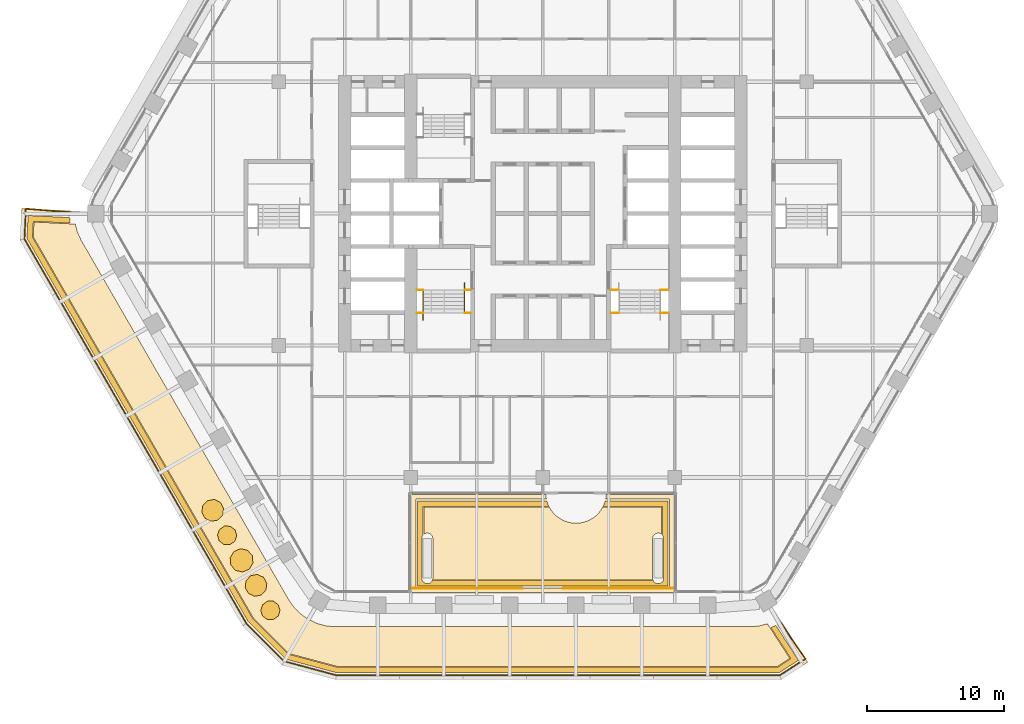
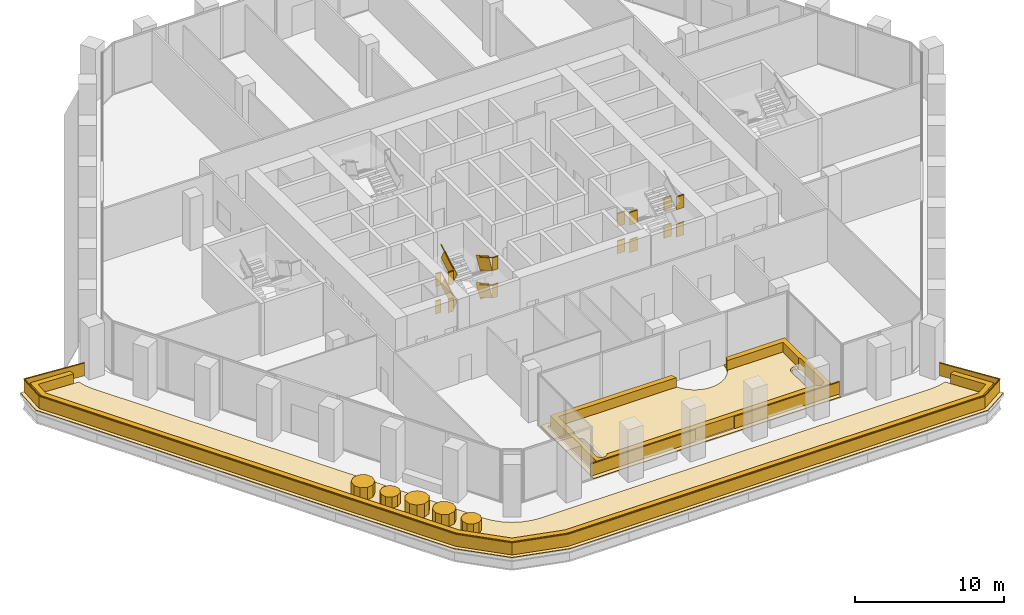
# One storey, part 25 of 27: 11 coverings, 5 railings.
"""IFC4 building model written with IfcOpenShell, lengths in metres."""

import ifcopenshell
import ifcopenshell.guid

model = None  # the IFC model being written
_history = None  # IfcOwnerHistory: only IFC2X3 demands one
_inside = {}  # id of a spatial element -> (the spatial element, [elements in it])
_under = {}  # id of a project, library or spatial element -> (it, [spatial elements below it])
_declared = {}  # id of a project -> (the project, [libraries it declares])
_typed = {}  # id of a type object -> (the type object, [elements of that type])
_made_of = {}  # id of a material, layer set ... -> (it, [elements and type objects made of it])


def new_model(schema):
    """Start an empty IFC model of exactly this schema.

    Asked for "IFC4X3", IfcOpenShell would pick the latest addendum, in which some entities
    have other attributes; the version numbers below select the first issue.
    IFC2X3 requires an IfcOwnerHistory on every rooted entity: one is made here for all.
    """
    global model, _history
    if schema == "IFC4X3":
        model = ifcopenshell.file(schema_version=(4, 3, 0, 0))
    else:
        model = ifcopenshell.file(schema=schema)
    _inside.clear()
    _under.clear()
    _declared.clear()
    _typed.clear()
    _made_of.clear()
    _history = None
    if model.schema == "IFC2X3":
        org = make("IfcOrganization", Name="unknown")
        user = make(
            "IfcPersonAndOrganization",
            ThePerson=make("IfcPerson", FamilyName="unknown"),
            TheOrganization=org,
        )
        app = make(
            "IfcApplication",
            ApplicationDeveloper=org,
            Version="unknown",
            ApplicationFullName="unknown",
            ApplicationIdentifier="unknown",
        )
        _history = make(
            "IfcOwnerHistory",
            OwningUser=user,
            OwningApplication=app,
            ChangeAction="ADDED",
            CreationDate=0,
        )
    return model


def make(cls, **values):
    """One entity of the class cls with the attributes given. An attribute that is None is left unset."""
    return model.create_entity(
        cls, **{name: value for name, value in values.items() if value is not None}
    )


def rooted(cls, **values):
    """An entity with a GlobalId (a new one), such as an element, a storey or a relation."""
    return make(cls, GlobalId=ifcopenshell.guid.new(), OwnerHistory=_history, **values)


def si_unit(unit_type, name, prefix=None):
    """IfcSIUnit, for example si_unit("LENGTHUNIT", "METRE", prefix="MILLI")."""
    return make("IfcSIUnit", UnitType=unit_type, Prefix=prefix, Name=name)


def assignment(units):
    """IfcUnitAssignment: the units of a project."""
    return None if units is None else make("IfcUnitAssignment", Units=units)


def point(xyz):
    """IfcCartesianPoint."""
    return None if xyz is None else make("IfcCartesianPoint", Coordinates=xyz)


def direction(xyz):
    """IfcDirection."""
    return None if xyz is None else make("IfcDirection", DirectionRatios=xyz)


def frame(location, z_axis=None, x_axis=None):
    """IfcAxis2Placement3D, a coordinate frame: its origin and axes. An axis left out is left unset."""
    return make(
        "IfcAxis2Placement3D",
        Location=point(location),
        Axis=direction(z_axis),
        RefDirection=direction(x_axis),
    )


def frame_2d(location, x_axis=None):
    """IfcAxis2Placement2D, a coordinate frame in the plane: its origin and x axis."""
    return make(
        "IfcAxis2Placement2D", Location=point(location), RefDirection=direction(x_axis)
    )


def origin():
    """The frame at (0, 0, 0) with its axes left unset."""
    return frame((0.0, 0.0, 0.0))


def origin_2d():
    """The frame at (0, 0) in the plane with its x axis left unset."""
    return frame_2d((0.0, 0.0))


def place(relative_to, where):
    """IfcLocalPlacement: puts the frame where relative to a parent placement (None: the world)."""
    return make(
        "IfcLocalPlacement", PlacementRelTo=relative_to, RelativePlacement=where
    )


def context(
    kind, dimensions, precision=None, world=None, true_north=None, identifier=None
):
    """IfcGeometricRepresentationContext, for example the 3D "Model" context."""
    return make(
        "IfcGeometricRepresentationContext",
        ContextIdentifier=identifier,
        ContextType=kind,
        CoordinateSpaceDimension=dimensions,
        Precision=precision,
        WorldCoordinateSystem=world,
        TrueNorth=true_north,
    )


def subcontext(parent, identifier, kind, view, scale=None):
    """IfcGeometricRepresentationSubContext, for example "Body" below "Model"."""
    return make(
        "IfcGeometricRepresentationSubContext",
        ContextIdentifier=identifier,
        ContextType=kind,
        ParentContext=parent,
        TargetScale=scale,
        TargetView=view,
    )


def project(units=None, contexts=None):
    """IfcProject with its units and contexts."""
    return rooted(
        "IfcProject",
        Name="project",
        RepresentationContexts=contexts,
        UnitsInContext=assignment(units),
    )


def spatial(cls, under=None, at=None, **own):
    """A site, building, storey or space (cls), placed at a placement, below another one or the project."""
    s = rooted(cls, ObjectPlacement=at, **own)
    if under is not None:
        _under.setdefault(under.id(), (under, []))[1].append(s)
    return s


def polyline(points):
    """IfcPolyline through the points."""
    return make("IfcPolyline", Points=[point(p) for p in points])


def profile(cls, at=None, kind="AREA", **sizes):
    """A parametric profile (cls). Its sizes go by their IFC names, for example OverallWidth=200.0."""
    return make(cls, ProfileType=kind, Position=at, **sizes)


def rectangle(**sizes):
    """IfcRectangleProfileDef."""
    return profile("IfcRectangleProfileDef", **sizes)


def outline(outer, holes=None, kind="AREA"):
    """IfcArbitraryClosedProfileDef: a profile drawn as a closed curve; with holes, ...WithVoids."""
    if holes is None:
        return make("IfcArbitraryClosedProfileDef", ProfileType=kind, OuterCurve=outer)
    return make(
        "IfcArbitraryProfileDefWithVoids",
        ProfileType=kind,
        OuterCurve=outer,
        InnerCurves=holes,
    )


def extrude(swept, where, along, depth):
    """IfcExtrudedAreaSolid: the profile swept, set in the frame where, extruded along a direction by depth."""
    return make(
        "IfcExtrudedAreaSolid",
        SweptArea=swept,
        Position=where,
        ExtrudedDirection=direction(along),
        Depth=depth,
    )


def shape(context_of_items, identifier, shape_type, items):
    """IfcShapeRepresentation: the items that make up one representation, for example the "Body"."""
    return make(
        "IfcShapeRepresentation",
        ContextOfItems=context_of_items,
        RepresentationIdentifier=identifier,
        RepresentationType=shape_type,
        Items=items,
    )


def material(Name=None, Category=None):
    """IfcMaterial."""
    return make("IfcMaterial", Name=Name, Category=Category)


def layer(
    of_material, thickness, ventilated=None, Name=None, Category=None, Priority=None
):
    """IfcMaterialLayer: one layer of a wall or slab, of a material (None: an air gap)."""
    return make(
        "IfcMaterialLayer",
        Material=of_material,
        LayerThickness=thickness,
        IsVentilated=ventilated,
        Name=Name,
        Category=Category,
        Priority=Priority,
    )


def layer_set(layers, Name=None):
    """IfcMaterialLayerSet."""
    return make("IfcMaterialLayerSet", MaterialLayers=layers, LayerSetName=Name)


def made_of(thing, what):
    """Note that an element or type object is made of a material, layer set ...; save() writes the relation."""
    if what is not None:
        _made_of.setdefault(what.id(), (what, []))[1].append(thing)
    return thing


def type_object(cls, material=None, **own):
    """A type object (cls), such as IfcWallType, which elements share."""
    return made_of(rooted(cls, **own), material)


def element(
    cls,
    number,
    at=None,
    inside=None,
    cuts=None,
    type_object=None,
    material=None,
    context=None,
    identifier="Body",
    shape_type=None,
    held_by="IfcProductDefinitionShape",
    body=None,
    shapes=None,
    **own,
):
    """One element of the class cls, such as IfcWall. Its Tag is "e" and its number.

    at: its placement. inside: the storey or other place that contains it. cuts: it is an
    opening in that element (IfcRelVoidsElement). A single representation is given by context,
    identifier, shape_type and body (its items); several are given by shapes. held_by: the class
    of the entity that holds the representations. save() writes the other relations.
    """
    e = rooted(cls, Tag="e%d" % number, ObjectPlacement=at, **own)
    if body is not None:
        shapes = [shape(context, identifier, shape_type, body)]
    if shapes is not None:
        e.Representation = make(held_by, Representations=shapes)
    if inside is not None:
        _inside.setdefault(inside.id(), (inside, []))[1].append(e)
    if cuts is not None:
        rooted(
            "IfcRelVoidsElement", RelatingBuildingElement=cuts, RelatedOpeningElement=e
        )
    if type_object is not None:
        _typed.setdefault(type_object.id(), (type_object, []))[1].append(e)
    return made_of(e, material)


def aggregate(whole, parts):
    """IfcRelAggregates: a whole, such as a stair, and the parts it consists of."""
    return rooted("IfcRelAggregates", RelatingObject=whole, RelatedObjects=parts)


def save(model, path):
    """Write the relations noted so far, then the file.

    IfcRelAggregates (storeys below a building ...), IfcRelContainedInSpatialStructure (elements
    in a storey), IfcRelDefinesByType, IfcRelAssociatesMaterial and IfcRelDeclares: one each for
    every whole, place, type object, material and project.
    """
    for whole, parts in _under.values():
        aggregate(whole, parts)
    for where, things in _inside.values():
        rooted(
            "IfcRelContainedInSpatialStructure",
            RelatedElements=things,
            RelatingStructure=where,
        )
    for kind, things in _typed.values():
        rooted("IfcRelDefinesByType", RelatedObjects=things, RelatingType=kind)
    for what, things in _made_of.values():
        rooted("IfcRelAssociatesMaterial", RelatedObjects=things, RelatingMaterial=what)
    for by, libraries in _declared.values():
        rooted("IfcRelDeclares", RelatingContext=by, RelatedDefinitions=libraries)
    model.write(path)


model = new_model("IFC4")

# Units and contexts
model_context = context("Model", 3, precision=1e-05, world=origin(), true_north=direction((0.0, 1.0)))
body_context = subcontext(model_context, "Body", "Model", "MODEL_VIEW")
ifc_project = project(units=[si_unit("LENGTHUNIT", "METRE"), si_unit("AREAUNIT", "SQUARE_METRE"), si_unit("VOLUMEUNIT", "CUBIC_METRE"), si_unit("PLANEANGLEUNIT", "RADIAN"), si_unit("MASSUNIT", "GRAM", prefix="KILO")], contexts=[model_context])

# Site, building, storey
site_placement = place(None, origin())
site = spatial("IfcSite", under=ifc_project, at=site_placement, CompositionType="ELEMENT")
building_placement = place(site_placement, origin())
building = spatial("IfcBuilding", under=site, at=building_placement, Name="Kolab Exchange Tower", CompositionType="ELEMENT")
storey_placement = place(building_placement, frame((0.0, 0.0, 109.39990234375)))
storey = spatial("IfcBuildingStorey", under=building, at=storey_placement, Name="L21", CompositionType="ELEMENT", Elevation=109.39990234375)

# Coverings
ifc_material_1 = material(Name="Flowering shrub planting", Category="soil")
ifc_layer_1 = layer(ifc_material_1, 1.0)
ifc_layer_set_1 = layer_set([ifc_layer_1], Name="Flowering shrub planting")
covering_type_1 = type_object("IfcCoveringType", Name="FLOWERING SHRUB PLANTING", PredefinedType="USERDEFINED", material=ifc_layer_set_1)
covering_1_placement = place(storey_placement, frame((0.0, 0.0, 0.25)))
element("IfcCovering", 1, at=covering_1_placement, inside=storey, type_object=covering_type_1, Name="Flowering shrub", ObjectType="PLANTING", PredefinedType="USERDEFINED", context=body_context, shape_type="SweptSolid", body=[
    extrude(outline(polyline([(-20.07958984375, -26.8837890625), (-20.32275390625, -26.453369140625), (-20.7724609375, -26.247802734375), (-21.257080078125, -26.34619140625), (-21.59130859375, -26.71044921875), (-21.647705078125, -27.20166015625), (-21.404541015625, -27.632080078125), (-20.954833984375, -27.83740234375), (-20.47021484375, -27.7392578125), (-20.135986328125, -27.375), (-20.07958984375, -26.8837890625)])), origin(), (0.0, 0.0, 1.0), 1.0),
])
covering_2_placement = place(storey_placement, frame((0.0, 0.0, 0.25)))
element("IfcCovering", 2, at=covering_2_placement, inside=storey, type_object=covering_type_1, Name="Flowering shrub", ObjectType="PLANTING", PredefinedType="USERDEFINED", context=body_context, shape_type="SweptSolid", body=[
    extrude(outline(polyline([(-23.456298828125, -21.012939453125), (-23.89990234375, -20.794921875), (-24.38720703125, -20.87939453125), (-24.731689453125, -21.234130859375), (-24.8017578125, -21.7236328125), (-24.571044921875, -22.160888671875), (-24.127197265625, -22.37890625), (-23.64013671875, -22.29443359375), (-23.295654296875, -21.939697265625), (-23.225341796875, -21.4501953125), (-23.456298828125, -21.012939453125)])), origin(), (0.0, 0.0, 1.0), 1.0),
])

# Railings
ifc_material_2 = material(Name="Stainless steel 316", Category="steel")
railing_type_1 = type_object("IfcRailingType", Name="GUARD 1100", PredefinedType="GUARDRAIL", material=ifc_material_2)
railing_1_placement = place(storey_placement, frame((-9.14990234375, -5.550048828125, 0.0)))
element("IfcRailing", 3, at=railing_1_placement, inside=storey, type_object=railing_type_1, Name="Guard ST3", PredefinedType="GUARDRAIL", context=body_context, shape_type="SweptSolid", body=[
    extrude(rectangle(XDim=0.05, YDim=0.05, at=origin_2d()), frame((0.0, 0.0, 1.0751953125), z_axis=(1.0, 0.0, 0.0), x_axis=(0.0, 1.0, 0.0)), (0.0, 0.0, 1.0), 0.43994140625),
    extrude(rectangle(XDim=0.012, YDim=1.05009765625, at=frame_2d((0.0, 0.525146484375))), frame((0.0, 0.0, 0.0), z_axis=(1.0, 0.0, 0.0), x_axis=(0.0, 1.0, 0.0)), (0.0, 0.0, 1.0), 0.43994140625),
    extrude(rectangle(XDim=0.05, YDim=0.05, at=origin_2d()), frame((3.4599609375, 0.0, 1.0751953125), z_axis=(1.0, 0.0, 0.0), x_axis=(0.0, 1.0, 0.0)), (0.0, 0.0, 1.0), 0.43994140625),
    extrude(rectangle(XDim=0.012, YDim=1.05009765625, at=frame_2d((0.0, 0.525146484375))), frame((3.4599609375, 0.0, 0.0), z_axis=(1.0, 0.0, 0.0), x_axis=(0.0, 1.0, 0.0)), (0.0, 0.0, 1.0), 0.43994140625),
    extrude(rectangle(XDim=0.05, YDim=0.05, at=origin_2d()), frame((0.0, -1.679931640625, 2.2001953125), z_axis=(1.0, 0.0, 0.0), x_axis=(0.0, 1.0, 0.0)), (0.0, 0.0, 1.0), 0.43994140625),
    extrude(rectangle(XDim=0.012, YDim=1.05009765625, at=frame_2d((0.0, 0.525146484375))), frame((0.0, -1.679931640625, 1.125), z_axis=(1.0, 0.0, 0.0), x_axis=(0.0, 1.0, 0.0)), (0.0, 0.0, 1.0), 0.43994140625),
    extrude(rectangle(XDim=0.05, YDim=0.05, at=origin_2d()), frame((3.4599609375, -1.679931640625, 2.2001953125), z_axis=(1.0, 0.0, 0.0), x_axis=(0.0, 1.0, 0.0)), (0.0, 0.0, 1.0), 0.43994140625),
    extrude(rectangle(XDim=0.012, YDim=1.05009765625, at=frame_2d((0.0, 0.525146484375))), frame((3.4599609375, -1.679931640625, 1.125), z_axis=(1.0, 0.0, 0.0), x_axis=(0.0, 1.0, 0.0)), (0.0, 0.0, 1.0), 0.43994140625),
    extrude(rectangle(XDim=0.05, YDim=0.05, at=origin_2d()), frame((0.0, 0.0, 3.3251953125), z_axis=(1.0, 0.0, 0.0), x_axis=(0.0, 1.0, 0.0)), (0.0, 0.0, 1.0), 0.43994140625),
    extrude(rectangle(XDim=0.012, YDim=1.05009765625, at=frame_2d((0.0, 0.525146484375))), frame((0.0, 0.0, 2.25), z_axis=(1.0, 0.0, 0.0), x_axis=(0.0, 1.0, 0.0)), (0.0, 0.0, 1.0), 0.43994140625),
    extrude(rectangle(XDim=0.05, YDim=0.05, at=origin_2d()), frame((3.4599609375, 0.0, 3.3251953125), z_axis=(1.0, 0.0, 0.0), x_axis=(0.0, 1.0, 0.0)), (0.0, 0.0, 1.0), 0.43994140625),
    extrude(rectangle(XDim=0.012, YDim=1.05009765625, at=frame_2d((0.0, 0.525146484375))), frame((3.4599609375, 0.0, 2.25), z_axis=(1.0, 0.0, 0.0), x_axis=(0.0, 1.0, 0.0)), (0.0, 0.0, 1.0), 0.43994140625),
    extrude(rectangle(XDim=0.05, YDim=0.05, at=origin_2d()), frame((0.0, -1.679931640625, 4.4501953125), z_axis=(1.0, 0.0, 0.0), x_axis=(0.0, 1.0, 0.0)), (0.0, 0.0, 1.0), 0.43994140625),
    extrude(rectangle(XDim=0.012, YDim=1.05009765625, at=frame_2d((0.0, 0.525146484375))), frame((0.0, -1.679931640625, 3.375), z_axis=(1.0, 0.0, 0.0), x_axis=(0.0, 1.0, 0.0)), (0.0, 0.0, 1.0), 0.43994140625),
    extrude(rectangle(XDim=0.05, YDim=0.05, at=origin_2d()), frame((3.4599609375, -1.679931640625, 4.4501953125), z_axis=(1.0, 0.0, 0.0), x_axis=(0.0, 1.0, 0.0)), (0.0, 0.0, 1.0), 0.43994140625),
    extrude(rectangle(XDim=0.012, YDim=1.05009765625, at=frame_2d((0.0, 0.525146484375))), frame((3.4599609375, -1.679931640625, 3.375), z_axis=(1.0, 0.0, 0.0), x_axis=(0.0, 1.0, 0.0)), (0.0, 0.0, 1.0), 0.43994140625),
])
railing_2_placement = place(storey_placement, frame((-5.68994140625, -5.550048828125, 0.160888671875)))
element("IfcRailing", 4, at=railing_2_placement, inside=storey, type_object=railing_type_1, Name="Handrail guard ST3", PredefinedType="GUARDRAIL", context=body_context, shape_type="SweptSolid", body=[
    extrude(rectangle(XDim=0.05, YDim=0.05, at=origin_2d()), frame((0.0, 0.0, 1.0751953125), z_axis=(0.0, -0.867318599139, 0.497753400378), x_axis=(1.0, 0.0, 0.0)), (0.0, 0.0, 1.0), 1.93701171875),
    extrude(rectangle(XDim=0.012, YDim=1.05009765625, at=frame_2d((0.0, 0.525146484375))), frame((0.0, 0.0, 0.0), z_axis=(0.0, -0.867318599139, 0.497753400378), x_axis=(1.0, 0.0, 0.0)), (0.0, 0.0, 1.0), 1.93701171875),
    extrude(rectangle(XDim=0.05, YDim=0.05, at=origin_2d()), frame((-3.02001953125, -1.679931640625, 2.2001953125), z_axis=(0.0, 0.867318599139, 0.497753400378), x_axis=(-1.0, 0.0, 0.0)), (0.0, 0.0, 1.0), 1.93701171875),
    extrude(rectangle(XDim=0.012, YDim=1.05009765625, at=frame_2d((0.0, 0.525146484375))), frame((-3.02001953125, -1.679931640625, 1.125), z_axis=(0.0, 0.867318599139, 0.497753400378), x_axis=(-1.0, 0.0, 0.0)), (0.0, 0.0, 1.0), 1.93701171875),
    extrude(rectangle(XDim=0.05, YDim=0.05, at=origin_2d()), frame((0.0, 0.0, 3.3251953125), z_axis=(0.0, -0.867318599139, 0.497753400378), x_axis=(1.0, 0.0, 0.0)), (0.0, 0.0, 1.0), 1.93701171875),
    extrude(rectangle(XDim=0.012, YDim=1.05009765625, at=frame_2d((0.0, 0.525146484375))), frame((0.0, 0.0, 2.25), z_axis=(0.0, -0.867318599139, 0.497753400378), x_axis=(1.0, 0.0, 0.0)), (0.0, 0.0, 1.0), 1.93701171875),
    extrude(rectangle(XDim=0.05, YDim=0.05, at=origin_2d()), frame((-3.02001953125, -1.679931640625, 4.4501953125), z_axis=(0.0, 0.867318599139, 0.497753400378), x_axis=(-1.0, 0.0, 0.0)), (0.0, 0.0, 1.0), 1.93701171875),
    extrude(rectangle(XDim=0.012, YDim=1.05009765625, at=frame_2d((0.0, 0.525146484375))), frame((-3.02001953125, -1.679931640625, 3.375), z_axis=(0.0, 0.867318599139, 0.497753400378), x_axis=(-1.0, 0.0, 0.0)), (0.0, 0.0, 1.0), 1.93701171875),
])
railing_3_placement = place(storey_placement, frame((4.949951171875, -5.550048828125, 0.0)))
element("IfcRailing", 5, at=railing_3_placement, inside=storey, type_object=railing_type_1, Name="Guard ST2", PredefinedType="GUARDRAIL", context=body_context, shape_type="SweptSolid", body=[
    extrude(rectangle(XDim=0.05, YDim=0.05, at=origin_2d()), frame((0.0, 0.0, 1.0751953125), z_axis=(1.0, 0.0, 0.0), x_axis=(0.0, 1.0, 0.0)), (0.0, 0.0, 1.0), 0.590087890625),
    extrude(rectangle(XDim=0.012, YDim=1.05009765625, at=frame_2d((0.0, 0.525146484375))), frame((0.0, 0.0, 0.0), z_axis=(1.0, 0.0, 0.0), x_axis=(0.0, 1.0, 0.0)), (0.0, 0.0, 1.0), 0.590087890625),
    extrude(rectangle(XDim=0.05, YDim=0.05, at=origin_2d()), frame((3.610107421875, 0.0, 1.0751953125), z_axis=(1.0, 0.0, 0.0), x_axis=(0.0, 1.0, 0.0)), (0.0, 0.0, 1.0), 0.58984375),
    extrude(rectangle(XDim=0.012, YDim=1.05009765625, at=frame_2d((0.0, 0.525146484375))), frame((3.610107421875, 0.0, 0.0), z_axis=(1.0, 0.0, 0.0), x_axis=(0.0, 1.0, 0.0)), (0.0, 0.0, 1.0), 0.58984375),
    extrude(rectangle(XDim=0.05, YDim=0.05, at=origin_2d()), frame((0.0, -1.679931640625, 2.2001953125), z_axis=(1.0, 0.0, 0.0), x_axis=(0.0, 1.0, 0.0)), (0.0, 0.0, 1.0), 0.590087890625),
    extrude(rectangle(XDim=0.012, YDim=1.05009765625, at=frame_2d((0.0, 0.525146484375))), frame((0.0, -1.679931640625, 1.125), z_axis=(1.0, 0.0, 0.0), x_axis=(0.0, 1.0, 0.0)), (0.0, 0.0, 1.0), 0.590087890625),
    extrude(rectangle(XDim=0.05, YDim=0.05, at=origin_2d()), frame((3.610107421875, -1.679931640625, 2.2001953125), z_axis=(1.0, 0.0, 0.0), x_axis=(0.0, 1.0, 0.0)), (0.0, 0.0, 1.0), 0.58984375),
    extrude(rectangle(XDim=0.012, YDim=1.05009765625, at=frame_2d((0.0, 0.525146484375))), frame((3.610107421875, -1.679931640625, 1.125), z_axis=(1.0, 0.0, 0.0), x_axis=(0.0, 1.0, 0.0)), (0.0, 0.0, 1.0), 0.58984375),
    extrude(rectangle(XDim=0.05, YDim=0.05, at=origin_2d()), frame((0.0, 0.0, 3.3251953125), z_axis=(1.0, 0.0, 0.0), x_axis=(0.0, 1.0, 0.0)), (0.0, 0.0, 1.0), 0.590087890625),
    extrude(rectangle(XDim=0.012, YDim=1.05009765625, at=frame_2d((0.0, 0.525146484375))), frame((0.0, 0.0, 2.25), z_axis=(1.0, 0.0, 0.0), x_axis=(0.0, 1.0, 0.0)), (0.0, 0.0, 1.0), 0.590087890625),
    extrude(rectangle(XDim=0.05, YDim=0.05, at=origin_2d()), frame((3.610107421875, 0.0, 3.3251953125), z_axis=(1.0, 0.0, 0.0), x_axis=(0.0, 1.0, 0.0)), (0.0, 0.0, 1.0), 0.58984375),
    extrude(rectangle(XDim=0.012, YDim=1.05009765625, at=frame_2d((0.0, 0.525146484375))), frame((3.610107421875, 0.0, 2.25), z_axis=(1.0, 0.0, 0.0), x_axis=(0.0, 1.0, 0.0)), (0.0, 0.0, 1.0), 0.58984375),
    extrude(rectangle(XDim=0.05, YDim=0.05, at=origin_2d()), frame((0.0, -1.679931640625, 4.4501953125), z_axis=(1.0, 0.0, 0.0), x_axis=(0.0, 1.0, 0.0)), (0.0, 0.0, 1.0), 0.590087890625),
    extrude(rectangle(XDim=0.012, YDim=1.05009765625, at=frame_2d((0.0, 0.525146484375))), frame((0.0, -1.679931640625, 3.375), z_axis=(1.0, 0.0, 0.0), x_axis=(0.0, 1.0, 0.0)), (0.0, 0.0, 1.0), 0.590087890625),
    extrude(rectangle(XDim=0.05, YDim=0.05, at=origin_2d()), frame((3.610107421875, -1.679931640625, 4.4501953125), z_axis=(1.0, 0.0, 0.0), x_axis=(0.0, 1.0, 0.0)), (0.0, 0.0, 1.0), 0.58984375),
    extrude(rectangle(XDim=0.012, YDim=1.05009765625, at=frame_2d((0.0, 0.525146484375))), frame((3.610107421875, -1.679931640625, 3.375), z_axis=(1.0, 0.0, 0.0), x_axis=(0.0, 1.0, 0.0)), (0.0, 0.0, 1.0), 0.58984375),
])
ifc_material_3 = material(Name="Steel S235", Category="steel")
railing_type_2 = type_object("IfcRailingType", Name="GUARD 1100 GLASS BALUSTRADE AND STEEL TOP RAIL", PredefinedType="GUARDRAIL", material=ifc_material_3)
railing_4_placement = place(storey_placement, frame((16.56787109375, -28.696533203125, 0.0)))
element("IfcRailing", 6, at=railing_4_placement, inside=storey, type_object=railing_type_2, Name="Terrace guard", PredefinedType="GUARDRAIL", context=body_context, shape_type="SweptSolid", body=[
    extrude(rectangle(XDim=0.05, YDim=0.05, at=origin_2d()), frame((0.0, 0.0, 1.0751953125), z_axis=(0.570361217709, -0.821393986668, 0.0), x_axis=(0.821393986668, 0.570361217709, 0.0)), (0.0, 0.0, 1.0), 4.4970703125),
    extrude(rectangle(XDim=0.012, YDim=1.05009765625, at=frame_2d((0.0, 0.525146484375))), frame((0.0, 0.0, 0.0), z_axis=(0.570361217709, -0.821393986668, 0.0), x_axis=(0.821393986668, 0.570361217709, 0.0)), (0.0, 0.0, 1.0), 4.4970703125),
    extrude(rectangle(XDim=0.05, YDim=0.05, at=origin_2d()), frame((2.56494140625, -3.69384765625, 1.0751953125), z_axis=(-0.839993562867, -0.542596364108, 0.0), x_axis=(0.542596364108, -0.839993562867, 0.0)), (0.0, 0.0, 1.0), 2.226318359375),
    extrude(rectangle(XDim=0.012, YDim=1.05009765625, at=frame_2d((0.0, 0.525146484375))), frame((2.56494140625, -3.69384765625, 0.0), z_axis=(-0.839993562867, -0.542596364108, 0.0), x_axis=(0.542596364108, -0.839993562867, 0.0)), (0.0, 0.0, 1.0), 2.226318359375),
    extrude(rectangle(XDim=0.05, YDim=0.05, at=origin_2d()), frame((0.69482421875, -4.90185546875, 1.0751953125), z_axis=(-1.0, 0.0, 0.0), x_axis=(0.0, -1.0, 0.0)), (0.0, 0.0, 1.0), 32.291015625),
    extrude(rectangle(XDim=0.012, YDim=1.05009765625, at=frame_2d((0.0, 0.525146484375))), frame((0.69482421875, -4.90185546875, 0.0), z_axis=(-1.0, 0.0, 0.0), x_axis=(0.0, -1.0, 0.0)), (0.0, 0.0, 1.0), 32.291015625),
    extrude(rectangle(XDim=0.05, YDim=0.05, at=origin_2d()), frame((-31.59619140625, -4.90185546875, 1.0751953125), z_axis=(-0.965929136584, 0.258806690596, 0.0), x_axis=(-0.258806690596, -0.965929136584, 0.0)), (0.0, 0.0, 1.0), 3.917724609375),
    extrude(rectangle(XDim=0.012, YDim=1.05009765625, at=frame_2d((0.0, 0.525146484375))), frame((-31.59619140625, -4.90185546875, 0.0), z_axis=(-0.965929136584, 0.258806690596, 0.0), x_axis=(-0.258806690596, -0.965929136584, 0.0)), (0.0, 0.0, 1.0), 3.917724609375),
    extrude(rectangle(XDim=0.05, YDim=0.05, at=origin_2d()), frame((-35.38037109375, -3.887939453125, 1.0751953125), z_axis=(-0.707106781187, 0.707106781187, 0.0), x_axis=(-0.707106781187, -0.707106781187, 0.0)), (0.0, 0.0, 1.0), 3.917724609375),
    extrude(rectangle(XDim=0.012, YDim=1.05009765625, at=frame_2d((0.0, 0.525146484375))), frame((-35.38037109375, -3.887939453125, 0.0), z_axis=(-0.707106781187, 0.707106781187, 0.0), x_axis=(-0.707106781187, -0.707106781187, 0.0)), (0.0, 0.0, 1.0), 3.917724609375),
    extrude(rectangle(XDim=0.05, YDim=0.05, at=origin_2d()), frame((-38.150634765625, -1.11767578125, 1.0751953125), z_axis=(-0.500005618083, 0.866022160158, 0.0), x_axis=(-0.866022160158, -0.500005618083, 0.0)), (0.0, 0.0, 1.0), 32.291259765625),
    extrude(rectangle(XDim=0.012, YDim=1.05009765625, at=frame_2d((0.0, 0.525146484375))), frame((-38.150634765625, -1.11767578125, 0.0), z_axis=(-0.500005618083, 0.866022160158, 0.0), x_axis=(-0.866022160158, -0.500005618083, 0.0)), (0.0, 0.0, 1.0), 32.291259765625),
    extrude(rectangle(XDim=0.05, YDim=0.05, at=origin_2d()), frame((-54.29638671875, 26.84716796875, 1.0751953125), z_axis=(0.050003246507, 0.998749055238, 0.0), x_axis=(-0.998749055238, 0.050003246507, 0.0)), (0.0, 0.0, 1.0), 2.226318359375),
    extrude(rectangle(XDim=0.012, YDim=1.05009765625, at=frame_2d((0.0, 0.525146484375))), frame((-54.29638671875, 26.84716796875, 0.0), z_axis=(0.050003246507, 0.998749055238, 0.0), x_axis=(-0.998749055238, 0.050003246507, 0.0)), (0.0, 0.0, 1.0), 2.226318359375),
    extrude(rectangle(XDim=0.05, YDim=0.05, at=origin_2d()), frame((-54.18505859375, 29.07080078125, 1.0751953125), z_axis=(0.996530389676, -0.083229696942, 0.0), x_axis=(0.083229696942, 0.996530389676, 0.0)), (0.0, 0.0, 1.0), 4.496826171875),
    extrude(rectangle(XDim=0.012, YDim=1.05009765625, at=frame_2d((0.0, 0.525146484375))), frame((-54.18505859375, 29.07080078125, 0.0), z_axis=(0.996530389676, -0.083229696942, 0.0), x_axis=(0.083229696942, 0.996530389676, 0.0)), (0.0, 0.0, 1.0), 4.496826171875),
])
railing_5_placement = place(storey_placement, frame((9.639892578125, -27.24853515625, 0.0)))
element("IfcRailing", 7, at=railing_5_placement, inside=storey, type_object=railing_type_2, Name="Terrace guard", PredefinedType="GUARDRAIL", context=body_context, shape_type="SweptSolid", body=[
    extrude(rectangle(XDim=0.05, YDim=0.05, at=origin_2d()), frame((0.0, 0.0, 1.0751953125), z_axis=(-1.0, 0.0, 0.0), x_axis=(0.0, -1.0, 0.0)), (0.0, 0.0, 1.0), 8.139892578125),
    extrude(rectangle(XDim=0.012, YDim=1.05009765625, at=frame_2d((0.0, 0.525146484375))), frame((0.0, 0.0, 0.0), z_axis=(-1.0, 0.0, 0.0), x_axis=(0.0, -1.0, 0.0)), (0.0, 0.0, 1.0), 8.139892578125),
    extrude(rectangle(XDim=0.05, YDim=0.05, at=origin_2d()), frame((-19.27978515625, 0.0, 1.0751953125), z_axis=(1.0, 0.0, 0.0), x_axis=(0.0, 1.0, 0.0)), (0.0, 0.0, 1.0), 8.139892578125),
    extrude(rectangle(XDim=0.012, YDim=1.05009765625, at=frame_2d((0.0, 0.525146484375))), frame((-19.27978515625, 0.0, 0.0), z_axis=(1.0, 0.0, 0.0), x_axis=(0.0, 1.0, 0.0)), (0.0, 0.0, 1.0), 8.139892578125),
])

# Coverings
ifc_material_4 = material(Name="Dense shrub planting", Category="soil")
ifc_layer_2 = layer(ifc_material_4, 1.39990234375)
ifc_layer_set_2 = layer_set([ifc_layer_2], Name="Dense shrub planting")
covering_type_2 = type_object("IfcCoveringType", Name="PLANTED TRELLIS SCREEN AND SHRUB BED", PredefinedType="USERDEFINED", material=ifc_layer_set_2)
covering_3_placement = place(storey_placement, frame((0.0, 0.0, 0.25)))
element("IfcCovering", 8, at=covering_3_placement, inside=storey, type_object=covering_type_2, Name="Shrub bed", ObjectType="PLANTING", PredefinedType="USERDEFINED", context=body_context, shape_type="SweptSolid", body=[
    extrude(outline(polyline([(-19.113525390625, -28.861328125), (-19.247314453125, -28.449951171875), (-19.597412109375, -28.195556640625), (-20.030029296875, -28.195556640625), (-20.3798828125, -28.449951171875), (-20.513671875, -28.861328125), (-20.3798828125, -29.272705078125), (-20.030029296875, -29.527099609375), (-19.597412109375, -29.527099609375), (-19.247314453125, -29.272705078125), (-19.113525390625, -28.861328125)])), origin(), (0.0, 0.0, 1.0), 0.900146484375),
])
covering_4_placement = place(storey_placement, frame((0.0, 0.0, 0.25)))
element("IfcCovering", 9, at=covering_4_placement, inside=storey, type_object=covering_type_2, Name="Shrub bed", ObjectType="PLANTING", PredefinedType="USERDEFINED", context=body_context, shape_type="SweptSolid", body=[
    extrude(outline(polyline([(-21.130615234375, -24.89306640625), (-21.474853515625, -24.49609375), (-21.986572265625, -24.377197265625), (-22.470458984375, -24.581787109375), (-22.741455078125, -25.03173828125), (-22.696533203125, -25.55517578125), (-22.3525390625, -25.9521484375), (-21.8408203125, -26.071044921875), (-21.35693359375, -25.866455078125), (-21.085693359375, -25.41650390625), (-21.130615234375, -24.89306640625)])), origin(), (0.0, 0.0, 1.0), 1.10009765625),
])
covering_5_placement = place(storey_placement, frame((0.0, 0.0, 0.25)))
element("IfcCovering", 10, at=covering_5_placement, inside=storey, type_object=covering_type_2, Name="Shrub bed", ObjectType="PLANTING", PredefinedType="USERDEFINED", context=body_context, shape_type="SweptSolid", body=[
    extrude(outline(polyline([(-22.385986328125, -23.01025390625), (-22.728515625, -22.74609375), (-23.160888671875, -22.73388671875), (-23.51806640625, -22.978271484375), (-23.663330078125, -23.3857421875), (-23.541259765625, -23.80078125), (-23.19873046875, -24.06494140625), (-22.766357421875, -24.0771484375), (-22.4091796875, -23.832763671875), (-22.263916015625, -23.42529296875), (-22.385986328125, -23.01025390625)])), origin(), (0.0, 0.0, 1.0), 0.900146484375),
])
ifc_material_5 = material(Name="Planting soil and turf", Category="soil")
ifc_layer_3 = layer(ifc_material_5, 0.25)
ifc_layer_set_3 = layer_set([ifc_layer_3], Name="Planting soil and turf")
covering_type_3 = type_object("IfcCoveringType", Name="PLANTING SOIL AND TURF 250", PredefinedType="USERDEFINED", material=ifc_layer_set_3)
covering_6_placement = place(storey_placement, origin())
element("IfcCovering", 11, at=covering_6_placement, inside=storey, type_object=covering_type_3, Name="Planting soil and turf", ObjectType="PLANTING", PredefinedType="USERDEFINED", context=body_context, shape_type="SweptSolid", body=[
    extrude(outline(polyline([(8.64990234375, -23.326416015625), (8.622314453125, -23.305908203125), (8.588623046875, -23.28564453125), (8.552978515625, -23.268798828125), (8.51611328125, -23.255615234375), (8.47802734375, -23.24609375), (8.439208984375, -23.240478515625), (8.39990234375, -23.238525390625), (8.36083984375, -23.240478515625), (8.322021484375, -23.24609375), (8.283935546875, -23.255615234375), (8.246826171875, -23.268798828125), (8.21142578125, -23.28564453125), (8.177734375, -23.305908203125), (8.146240234375, -23.329345703125), (8.1171875, -23.355712890625), (8.0908203125, -23.384765625), (8.0673828125, -23.416259765625), (8.047119140625, -23.449951171875), (8.030517578125, -23.4853515625), (8.017333984375, -23.5224609375), (8.007568359375, -23.560302734375), (8.001953125, -23.599365234375), (8.0, -23.638427734375), (8.0, -26.5185546875), (8.001953125, -26.5576171875), (8.007568359375, -26.596435546875), (8.017333984375, -26.634521484375), (8.022216796875, -26.6484375), (-8.022216796875, -26.6484375), (-8.017333984375, -26.634521484375), (-8.007568359375, -26.596435546875), (-8.001953125, -26.5576171875), (-8.0, -26.5185546875), (-8.0, -23.638427734375), (-8.001953125, -23.599365234375), (-8.007568359375, -23.560302734375), (-8.017333984375, -23.5224609375), (-8.030517578125, -23.4853515625), (-8.047119140625, -23.449951171875), (-8.0673828125, -23.416259765625), (-8.0908203125, -23.384765625), (-8.1171875, -23.355712890625), (-8.146240234375, -23.329345703125), (-8.177734375, -23.305908203125), (-8.21142578125, -23.28564453125), (-8.246826171875, -23.268798828125), (-8.283935546875, -23.255615234375), (-8.322021484375, -23.24609375), (-8.36083984375, -23.240478515625), (-8.39990234375, -23.238525390625), (-8.439208984375, -23.240478515625), (-8.47802734375, -23.24609375), (-8.51611328125, -23.255615234375), (-8.552978515625, -23.268798828125), (-8.588623046875, -23.28564453125), (-8.622314453125, -23.305908203125), (-8.64990234375, -23.326416015625), (-8.64990234375, -21.348388671875), (0.476318359375, -21.348388671875), (0.479736328125, -21.35546875), (0.5908203125, -21.540771484375), (0.719482421875, -21.714111328125), (0.8642578125, -21.8740234375), (1.0244140625, -22.01904296875), (1.19775390625, -22.147705078125), (1.3828125, -22.2587890625), (1.578125, -22.35107421875), (1.781494140625, -22.423828125), (1.99072265625, -22.47607421875), (2.204345703125, -22.5078125), (2.419921875, -22.5185546875), (2.6357421875, -22.5078125), (2.84912109375, -22.47607421875), (3.05859375, -22.423828125), (3.261962890625, -22.35107421875), (3.45703125, -22.2587890625), (3.642333984375, -22.147705078125), (3.815673828125, -22.01904296875), (3.9755859375, -21.8740234375), (4.12060546875, -21.714111328125), (4.249267578125, -21.540771484375), (4.360107421875, -21.35546875), (4.363525390625, -21.348388671875), (8.64990234375, -21.348388671875), (8.64990234375, -23.326416015625)])), origin(), (0.0, 0.0, 1.0), 0.25),
])
covering_7_placement = place(storey_placement, origin())
element("IfcCovering", 12, at=covering_7_placement, inside=storey, type_object=covering_type_3, Name="Planting soil and turf", ObjectType="PLANTING", PredefinedType="USERDEFINED", context=body_context, shape_type="SweptSolid", body=[
    extrude(outline(polyline([(-33.85107421875, -1.352294921875), (-33.577392578125, -1.939208984375), (-18.468017578125, -28.109375), (-18.0966796875, -28.639892578125), (-17.609130859375, -29.127197265625), (-17.044677734375, -29.5224609375), (-16.420166015625, -29.8134765625), (-15.754638671875, -29.991943359375), (-15.109375, -30.048583984375), (15.109375, -30.048583984375), (15.754638671875, -29.991943359375), (16.349365234375, -29.83251953125), (17.98193359375, -32.35986328125), (17.07080078125, -32.948486328125), (-14.94287109375, -32.948486328125), (-18.47607421875, -32.001708984375), (-21.062744140625, -29.415283203125), (-37.069580078125, -1.6904296875), (-37.015380859375, -0.60693359375), (-34.010498046875, -0.75732421875), (-33.85107421875, -1.352294921875)])), origin(), (0.0, 0.0, 1.0), 0.25),
])
ifc_material_6 = material(Name="Limestone coping", Category="masonry")
ifc_layer_4 = layer(ifc_material_6, 0.050048828125)
ifc_layer_set_4 = layer_set([ifc_layer_4], Name="Limestone coping")
covering_type_4 = type_object("IfcCoveringType", Name="TERRACE EDGE BAND LIMESTONE 50", PredefinedType="CLADDING", material=ifc_layer_set_4)
covering_8_placement = place(storey_placement, origin())
element("IfcCovering", 13, at=covering_8_placement, inside=storey, type_object=covering_type_4, Name="Terrace edge band", PredefinedType="CLADDING", context=body_context, shape_type="SweptSolid", body=[
    extrude(outline(polyline([(-9.580078125, -27.578369140625), (-9.580078125, -20.41845703125), (0.224853515625, -20.41845703125), (0.230712890625, -20.5341796875), (0.26220703125, -20.74755859375), (0.267578125, -20.7685546875), (-9.22998046875, -20.7685546875), (-9.22998046875, -27.228515625), (9.22998046875, -27.228515625), (9.22998046875, -20.7685546875), (4.572509765625, -20.7685546875), (4.57763671875, -20.74755859375), (4.609375, -20.5341796875), (4.614990234375, -20.41845703125), (9.580078125, -20.41845703125), (9.580078125, -27.578369140625), (-9.580078125, -27.578369140625)])), origin(), (0.0, 0.0, 1.0), 0.050048828125),
])
covering_9_placement = place(storey_placement, origin())
element("IfcCovering", 14, at=covering_9_placement, inside=storey, type_object=covering_type_4, Name="Terrace edge band", PredefinedType="CLADDING", context=body_context, shape_type="SweptSolid", body=[
    extrude(outline(polyline([(17.34521484375, -33.87841796875), (-15.065185546875, -33.87841796875), (-18.95751953125, -32.83544921875), (-21.806884765625, -29.986328125), (-38.01220703125, -1.917724609375), (-37.897705078125, 0.368408203125), (-34.423828125, 0.194580078125), (-34.430908203125, 0.11328125), (-34.435791015625, 0.0), (-34.430908203125, -0.11328125), (-34.42724609375, -0.15576171875), (-37.565673828125, 0.001220703125), (-37.657470703125, -1.832275390625), (-21.52685546875, -29.771240234375), (-18.7763671875, -32.521728515625), (-15.019287109375, -33.528564453125), (17.241943359375, -33.528564453125), (18.783935546875, -32.5322265625), (17.07861328125, -29.892822265625), (17.117431640625, -29.874755859375), (17.218017578125, -29.822265625), (17.3134765625, -29.761474609375), (17.38037109375, -29.714599609375), (19.267822265625, -32.636474609375), (17.34521484375, -33.87841796875)])), origin(), (0.0, 0.0, 1.0), 0.050048828125),
])
ifc_material_7 = material(Name="Terrace hedge planting", Category="soil")
ifc_layer_5 = layer(ifc_material_7, 1.0)
ifc_layer_set_5 = layer_set([ifc_layer_5], Name="Terrace hedge planting")
covering_type_5 = type_object("IfcCoveringType", Name="TERRACE HEDGE 1000 X 400", PredefinedType="USERDEFINED", material=ifc_layer_set_5)
covering_10_placement = place(storey_placement, origin())
element("IfcCovering", 15, at=covering_10_placement, inside=storey, type_object=covering_type_5, Name="Terrace hedge", ObjectType="PLANTING", PredefinedType="USERDEFINED", context=body_context, shape_type="SweptSolid", body=[
    extrude(outline(polyline([(-9.10009765625, -27.098388671875), (-9.10009765625, -20.8984375), (0.300048828125, -20.8984375), (0.314697265625, -20.95703125), (0.387451171875, -21.160400390625), (0.452880859375, -21.29833984375), (-8.699951171875, -21.29833984375), (-8.699951171875, -23.37451171875), (-8.709228515625, -23.384765625), (-8.732666015625, -23.416259765625), (-8.752685546875, -23.449951171875), (-8.76953125, -23.4853515625), (-8.78271484375, -23.5224609375), (-8.792236328125, -23.560302734375), (-8.798095703125, -23.599365234375), (-8.800048828125, -23.638427734375), (-8.800048828125, -26.5185546875), (-8.798095703125, -26.5576171875), (-8.792236328125, -26.596435546875), (-8.78271484375, -26.634521484375), (-8.76953125, -26.671630859375), (-8.752685546875, -26.70703125), (-8.732666015625, -26.74072265625), (-8.709228515625, -26.772216796875), (-8.682861328125, -26.80126953125), (-8.65380859375, -26.82763671875), (-8.622314453125, -26.85107421875), (-8.588623046875, -26.871337890625), (-8.552978515625, -26.887939453125), (-8.51611328125, -26.901123046875), (-8.47802734375, -26.910888671875), (-8.439208984375, -26.91650390625), (-8.39990234375, -26.91845703125), (-8.36083984375, -26.91650390625), (-8.322021484375, -26.910888671875), (-8.283935546875, -26.901123046875), (-8.246826171875, -26.887939453125), (-8.21142578125, -26.871337890625), (-8.177734375, -26.85107421875), (-8.146240234375, -26.82763671875), (-8.1171875, -26.80126953125), (-8.0908203125, -26.772216796875), (-8.0673828125, -26.74072265625), (-8.047119140625, -26.70703125), (-8.043212890625, -26.698486328125), (8.043212890625, -26.698486328125), (8.047119140625, -26.70703125), (8.0673828125, -26.74072265625), (8.0908203125, -26.772216796875), (8.1171875, -26.80126953125), (8.146240234375, -26.82763671875), (8.177734375, -26.85107421875), (8.21142578125, -26.871337890625), (8.246826171875, -26.887939453125), (8.283935546875, -26.901123046875), (8.322021484375, -26.910888671875), (8.36083984375, -26.91650390625), (8.39990234375, -26.91845703125), (8.439208984375, -26.91650390625), (8.47802734375, -26.910888671875), (8.51611328125, -26.901123046875), (8.552978515625, -26.887939453125), (8.588623046875, -26.871337890625), (8.622314453125, -26.85107421875), (8.65380859375, -26.82763671875), (8.682861328125, -26.80126953125), (8.709228515625, -26.772216796875), (8.732666015625, -26.74072265625), (8.752685546875, -26.70703125), (8.76953125, -26.671630859375), (8.78271484375, -26.634521484375), (8.792236328125, -26.596435546875), (8.798095703125, -26.5576171875), (8.800048828125, -26.5185546875), (8.800048828125, -23.638427734375), (8.798095703125, -23.599365234375), (8.792236328125, -23.560302734375), (8.78271484375, -23.5224609375), (8.76953125, -23.4853515625), (8.752685546875, -23.449951171875), (8.732666015625, -23.416259765625), (8.709228515625, -23.384765625), (8.699951171875, -23.37451171875), (8.699951171875, -21.29833984375), (4.38720703125, -21.29833984375), (4.45263671875, -21.160400390625), (4.525390625, -20.95703125), (4.5400390625, -20.8984375), (9.10009765625, -20.8984375), (9.10009765625, -27.098388671875), (-9.10009765625, -27.098388671875)])), origin(), (0.0, 0.0, 1.0), 1.0),
])
covering_11_placement = place(storey_placement, origin())
element("IfcCovering", 16, at=covering_11_placement, inside=storey, type_object=covering_type_5, Name="Terrace hedge", ObjectType="PLANTING", PredefinedType="USERDEFINED", context=body_context, shape_type="SweptSolid", body=[
    extrude(outline(polyline([(18.604248046875, -32.49365234375), (17.20361328125, -33.3984375), (-15.001953125, -33.3984375), (-18.708984375, -32.4052734375), (-21.4228515625, -29.69140625), (-37.525634765625, -1.80029296875), (-37.4423828125, -0.135009765625), (-34.415771484375, -0.28662109375), (-34.38525390625, -0.63427734375), (-34.378173828125, -0.68896484375), (-37.06298828125, -0.554443359375), (-37.120361328125, -1.70263671875), (-21.102783203125, -29.44580078125), (-18.501953125, -32.046630859375), (-14.949462890625, -32.99853515625), (17.085693359375, -32.99853515625), (18.05126953125, -32.374755859375), (16.592529296875, -30.116943359375), (16.643310546875, -30.095703125), (16.959716796875, -29.9482421875), (18.604248046875, -32.49365234375)])), origin(), (0.0, 0.0, 1.0), 1.0),
])

save(model, "model.ifc")
